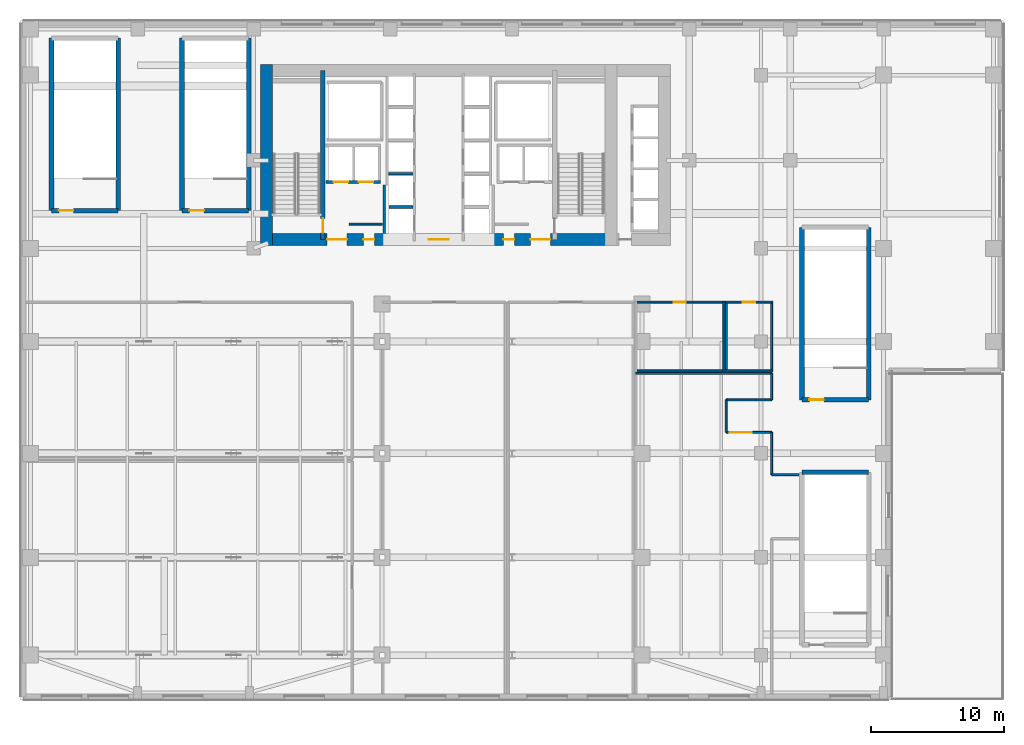
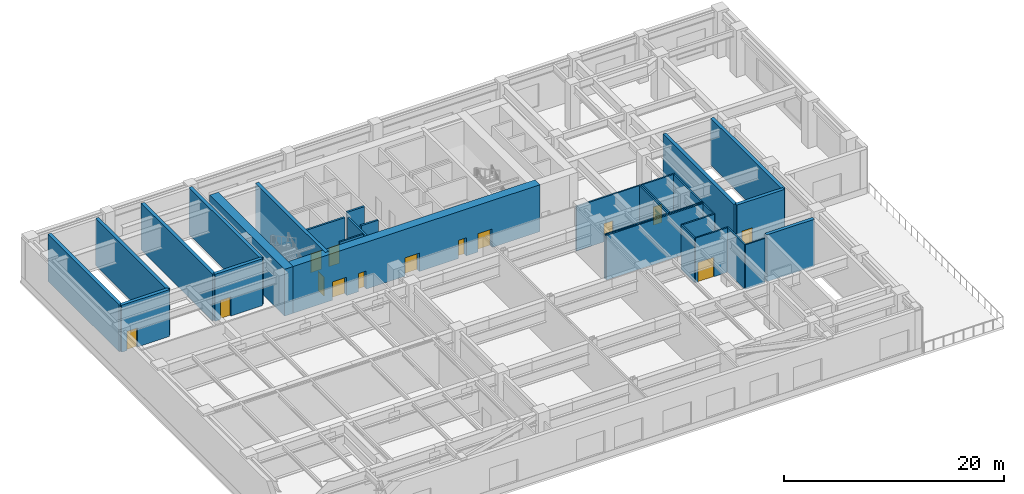
# One storey, part 6 of 14: 32 walls, 14 doors, 14 openings.
"""IFC4 building model written with IfcOpenShell, lengths in metres."""

from ifc_helpers import new_model, si_unit, direction, frame, frame_2d, origin, place, context, subcontext, project, spatial, rectangle, extrude, source, transform, mapped, material, layer, layer_set, type_object, type_shapes, element, fill, save


model = new_model("IFC4")

# Units and contexts
model_context = context("Model", 3, precision=1e-05, world=origin(), true_north=direction((0.0, 1.0)))
body_context = subcontext(model_context, "Body", "Model", "MODEL_VIEW")
ifc_project = project(units=[si_unit("LENGTHUNIT", "METRE"), si_unit("AREAUNIT", "SQUARE_METRE"), si_unit("VOLUMEUNIT", "CUBIC_METRE"), si_unit("PLANEANGLEUNIT", "RADIAN"), si_unit("MASSUNIT", "GRAM", prefix="KILO")], contexts=[model_context])

# Site, building, storey
site_placement = place(None, origin())
site = spatial("IfcSite", under=ifc_project, at=site_placement, CompositionType="ELEMENT")
building_placement = place(site_placement, origin())
building = spatial("IfcBuilding", under=site, at=building_placement, Name="Tolvann Quenvar Hotel", CompositionType="ELEMENT")
storey_placement = place(building_placement, frame((0.0, 0.0, 26.800048828125)))
storey = spatial("IfcBuildingStorey", under=building, at=storey_placement, Name="L05", CompositionType="ELEMENT", Elevation=26.800048828125)

# Wall, openings, doors
ifc_material_1 = material(Name="Concrete S80 (80 MPa)", Category="concrete")
ifc_layer_1 = layer(ifc_material_1, 0.89990234375)
ifc_layer_set_1 = layer_set([ifc_layer_1], Name="Concrete S80 (80 MPa)")
wall_type_1 = type_object("IfcWallType", Name="WALL_CORE_900", PredefinedType="SHEAR", material=ifc_layer_set_1)
wall_1_placement = place(storey_placement, frame((9.60009765625, 32.050048828125, 0.0), z_axis=(0.0, 0.0, 1.0), x_axis=(1.0, 0.0, 0.0)))
wall_1 = element("IfcWall", 1, at=wall_1_placement, inside=storey, type_object=wall_type_1, Name="Rear Core S Shear Wall (L05)", PredefinedType="SHEAR", context=body_context, shape_type="SweptSolid", body=[
    extrude(rectangle(XDim=26.7998046875, YDim=0.89990234375, at=frame_2d((13.39990234375, 0.0))), origin(), (0.0, 0.0, 1.0), 5.199951171875),
])
opening_1_placement = place(wall_1_placement, frame((6.52001953125, 0.0, 0.0), z_axis=(0.0, 0.0, 1.0), x_axis=(-1.0, 0.0, 0.0)))
opening_1 = element("IfcOpeningElement", 2, at=opening_1_placement, cuts=wall_1, Name="Opening FD-60D", PredefinedType="OPENING", context=body_context, shape_type="SweptSolid", body=[
    extrude(rectangle(XDim=1.5, YDim=2.0400390625, at=frame_2d((0.75, 1.02001953125))), frame((0.0, 0.4599609375, 0.0), z_axis=(0.0, -1.0, 0.0), x_axis=(1.0, 0.0, 0.0)), (0.0, 0.0, 1.0), 0.919921875),
])
opening_2_placement = place(wall_1_placement, frame((14.14990234375, 0.0, 0.0), z_axis=(0.0, 0.0, 1.0), x_axis=(-1.0, 0.0, 0.0)))
opening_2 = element("IfcOpeningElement", 3, at=opening_2_placement, cuts=wall_1, Name="Opening FD-60D", PredefinedType="OPENING", context=body_context, shape_type="SweptSolid", body=[
    extrude(rectangle(XDim=1.5, YDim=2.0400390625, at=frame_2d((0.75, 1.02001953125))), frame((0.0, 0.4599609375, 0.0), z_axis=(0.0, -1.0, 0.0), x_axis=(1.0, 0.0, 0.0)), (0.0, 0.0, 1.0), 0.919921875),
])
opening_3_placement = place(wall_1_placement, frame((21.780029296875, 0.0, 0.0), z_axis=(0.0, 0.0, 1.0), x_axis=(-1.0, 0.0, 0.0)))
opening_3 = element("IfcOpeningElement", 4, at=opening_3_placement, cuts=wall_1, Name="Opening FD-60D", PredefinedType="OPENING", context=body_context, shape_type="SweptSolid", body=[
    extrude(rectangle(XDim=1.5, YDim=2.0400390625, at=frame_2d((0.75, 1.02001953125))), frame((0.0, 0.4599609375, 0.0), z_axis=(0.0, -1.0, 0.0), x_axis=(1.0, 0.0, 0.0)), (0.0, 0.0, 1.0), 0.919921875),
])
opening_4_placement = place(wall_1_placement, frame((8.570068359375, 0.0, 0.0), z_axis=(0.0, 0.0, 1.0), x_axis=(-1.0, 0.0, 0.0)))
opening_4 = element("IfcOpeningElement", 5, at=opening_4_placement, cuts=wall_1, Name="Opening HD-02", PredefinedType="OPENING", context=body_context, shape_type="SweptSolid", body=[
    extrude(rectangle(XDim=0.820068359375, YDim=2.010009765625, at=frame_2d((0.41015625, 1.0048828125))), frame((0.0, 0.4599609375, 0.0), z_axis=(0.0, -1.0, 0.0), x_axis=(1.0, 0.0, 0.0)), (0.0, 0.0, 1.0), 0.919921875),
])
opening_5_placement = place(wall_1_placement, frame((19.070068359375, 0.0, 0.0), z_axis=(0.0, 0.0, 1.0), x_axis=(-1.0, 0.0, 0.0)))
opening_5 = element("IfcOpeningElement", 6, at=opening_5_placement, cuts=wall_1, Name="Opening HD-02", PredefinedType="OPENING", context=body_context, shape_type="SweptSolid", body=[
    extrude(rectangle(XDim=0.820068359375, YDim=2.010009765625, at=frame_2d((0.41015625, 1.0048828125))), frame((0.0, 0.4599609375, 0.0), z_axis=(0.0, -1.0, 0.0), x_axis=(1.0, 0.0, 0.0)), (0.0, 0.0, 1.0), 0.919921875),
])
ifc_material_2 = material(Name="Solid-core American oak acoustic fire door leaf in steel frame", Category="steel")
door_type_1 = type_object("IfcDoorType", Name="DOOR_FIRE_LOBBY_1500", OperationType="NOTDEFINED", PredefinedType="DOOR", material=ifc_material_2)
shared_shape_1 = source(origin(), body_context, "Body", "SweptSolid", [
    extrude(rectangle(XDim=1.5, YDim=2.0400390625, at=frame_2d((0.75, 1.02001953125))), frame((0.0, 0.02490234375, 0.0), z_axis=(0.0, -1.0, 0.0), x_axis=(1.0, 0.0, 0.0)), (0.0, 0.0, 1.0), 0.050048828125),
])
type_shapes(door_type_1, [shared_shape_1])
door_1_placement = place(opening_1_placement, origin())
door_1 = element("IfcDoor", 7, at=door_1_placement, inside=storey, type_object=door_type_1, Name="Core Lobby Fire Door FFW (L05)", OperationType="DOUBLE_DOOR_SINGLE_SWING", OverallHeight=2.0400390625, OverallWidth=1.5, PredefinedType="DOOR", context=body_context, shape_type="MappedRepresentation", body=[
    mapped(shared_shape_1, transform((0.0, 0.0, 0.0), x_axis=(1.0, 0.0, 0.0), y_axis=(0.0, 1.0, 0.0), z_axis=(0.0, 0.0, 1.0), scale=1.0)),
])
fill(opening_1, door_1)
door_2_placement = place(opening_2_placement, origin())
door_2 = element("IfcDoor", 8, at=door_2_placement, inside=storey, type_object=door_type_1, Name="Core Lobby Fire Door CLOB (L05)", OperationType="DOUBLE_DOOR_SINGLE_SWING", OverallHeight=2.0400390625, OverallWidth=1.5, PredefinedType="DOOR", context=body_context, shape_type="MappedRepresentation", body=[
    mapped(shared_shape_1, transform((0.0, 0.0, 0.0), x_axis=(1.0, 0.0, 0.0), y_axis=(0.0, 1.0, 0.0), z_axis=(0.0, 0.0, 1.0), scale=1.0)),
])
fill(opening_2, door_2)
door_3_placement = place(opening_3_placement, origin())
door_3 = element("IfcDoor", 9, at=door_3_placement, inside=storey, type_object=door_type_1, Name="Core Lobby Fire Door FFE (L05)", OperationType="DOUBLE_DOOR_SINGLE_SWING", OverallHeight=2.0400390625, OverallWidth=1.5, PredefinedType="DOOR", context=body_context, shape_type="MappedRepresentation", body=[
    mapped(shared_shape_1, transform((0.0, 0.0, 0.0), x_axis=(1.0, 0.0, 0.0), y_axis=(0.0, 1.0, 0.0), z_axis=(0.0, 0.0, 1.0), scale=1.0)),
])
fill(opening_3, door_3)
ifc_material_3 = material(Name="Pressed galvanised steel fire-rated door set", Category="steel")
door_type_2 = type_object("IfcDoorType", Name="DOOR_STORE_820", OperationType="NOTDEFINED", PredefinedType="DOOR", material=ifc_material_3)
shared_shape_2 = source(origin(), body_context, "Body", "SweptSolid", [
    extrude(rectangle(XDim=0.820068359375, YDim=2.010009765625, at=frame_2d((0.41015625, 1.0048828125))), frame((0.0, 0.02490234375, 0.0), z_axis=(0.0, -1.0, 0.0), x_axis=(1.0, 0.0, 0.0)), (0.0, 0.0, 1.0), 0.050048828125),
])
type_shapes(door_type_2, [shared_shape_2])
door_4_placement = place(opening_4_placement, origin())
door_4 = element("IfcDoor", 10, at=door_4_placement, inside=storey, type_object=door_type_2, Name="Core Linen Store Fire Door (L05)", OperationType="SINGLE_SWING_LEFT", OverallHeight=2.010009765625, OverallWidth=0.820068359375, PredefinedType="DOOR", context=body_context, shape_type="MappedRepresentation", body=[
    mapped(shared_shape_2, transform((0.0, 0.0, 0.0), x_axis=(1.0, 0.0, 0.0), y_axis=(0.0, 1.0, 0.0), z_axis=(0.0, 0.0, 1.0), scale=1.0)),
])
fill(opening_4, door_4)
door_5_placement = place(opening_5_placement, origin())
door_5 = element("IfcDoor", 11, at=door_5_placement, inside=storey, type_object=door_type_2, Name="Core Comms Closet Fire Door (L05)", OperationType="SINGLE_SWING_RIGHT", OverallHeight=2.010009765625, OverallWidth=0.820068359375, PredefinedType="DOOR", context=body_context, shape_type="MappedRepresentation", body=[
    mapped(shared_shape_2, transform((0.0, 0.0, 0.0), x_axis=(1.0, 0.0, 0.0), y_axis=(0.0, 1.0, 0.0), z_axis=(0.0, 0.0, 1.0), scale=1.0)),
])
fill(opening_5, door_5)

# Wall
wall_2_placement = place(storey_placement, frame((10.050048828125, 31.60009765625, 0.0), z_axis=(0.0, 0.0, 1.0), x_axis=(0.0, 1.0, 0.0)))
element("IfcWall", 12, at=wall_2_placement, inside=storey, type_object=wall_type_1, Name="Rear Core W Shear Wall (L05)", PredefinedType="SHEAR", context=body_context, shape_type="SweptSolid", body=[
    extrude(rectangle(XDim=13.599853515625, YDim=0.89990234375, at=frame_2d((6.7998046875, 0.0))), origin(), (0.0, 0.0, 1.0), 5.199951171875),
])

# Wall, opening, door
ifc_material_4 = material(Name="Concrete S65 (65 MPa)", Category="concrete")
ifc_layer_2 = layer(ifc_material_4, 0.35009765625)
ifc_layer_set_2 = layer_set([ifc_layer_2], Name="Concrete S65 (65 MPa)")
wall_type_2 = type_object("IfcWallType", Name="WALL_CORE_INT_350", PredefinedType="SHEAR", material=ifc_layer_set_2)
wall_3_placement = place(storey_placement, frame((14.300048828125, 32.050048828125, 0.0), z_axis=(0.0, 0.0, 1.0), x_axis=(0.0, 1.0, 0.0)))
wall_3 = element("IfcWall", 13, at=wall_3_placement, inside=storey, type_object=wall_type_2, Name="Core Internal Web Shear Wall WEB-W (L05)", PredefinedType="SHEAR", context=body_context, shape_type="SweptSolid", body=[
    extrude(rectangle(XDim=12.699951171875, YDim=0.35009765625, at=frame_2d((6.35009765625, 0.0))), origin(), (0.0, 0.0, 1.0), 5.199951171875),
])
opening_6_placement = place(wall_3_placement, frame((0.5, 0.0, 0.0)))
opening_6 = element("IfcOpeningElement", 14, at=opening_6_placement, cuts=wall_3, Name="Opening FD-120", PredefinedType="OPENING", context=body_context, shape_type="SweptSolid", body=[
    extrude(rectangle(XDim=1.10009765625, YDim=2.1201171875, at=frame_2d((0.550048828125, 1.06005859375))), frame((0.0, 0.18505859375, 0.0), z_axis=(0.0, -1.0, 0.0), x_axis=(1.0, 0.0, 0.0)), (0.0, 0.0, 1.0), 0.3701171875),
])
door_type_3 = type_object("IfcDoorType", Name="DOOR_FIRE_STAIR_1100", OperationType="NOTDEFINED", PredefinedType="DOOR", material=ifc_material_3)
shared_shape_3 = source(origin(), body_context, "Body", "SweptSolid", [
    extrude(rectangle(XDim=1.10009765625, YDim=2.1201171875, at=frame_2d((0.550048828125, 1.06005859375))), frame((0.0, 0.02490234375, 0.0), z_axis=(0.0, -1.0, 0.0), x_axis=(1.0, 0.0, 0.0)), (0.0, 0.0, 1.0), 0.050048828125),
])
type_shapes(door_type_3, [shared_shape_3])
door_6_placement = place(opening_6_placement, origin())
door_6 = element("IfcDoor", 15, at=door_6_placement, inside=storey, type_object=door_type_3, Name="Exit Stair ST-C1 Fire Door (L05)", OperationType="SINGLE_SWING_LEFT", OverallHeight=2.1201171875, OverallWidth=1.10009765625, PredefinedType="DOOR", context=body_context, shape_type="MappedRepresentation", body=[
    mapped(shared_shape_3, transform((0.0, 0.0, 0.0), x_axis=(1.0, 0.0, 0.0), y_axis=(0.0, 1.0, 0.0), z_axis=(0.0, 0.0, 1.0), scale=1.0)),
])
fill(opening_6, door_6)

wall_4_placement = place(storey_placement, frame((-6.074951171875, 34.22509765625, 0.0), z_axis=(0.0, 0.0, 1.0), x_axis=(1.0, 0.0, 0.0)))
wall_4 = element("IfcWall", 16, at=wall_4_placement, inside=storey, type_object=wall_type_2, Name="Stairwell ST-P1 Structural Shaft Wall S (L05)", PredefinedType="SHEAR", context=body_context, shape_type="SweptSolid", body=[
    extrude(rectangle(XDim=5.0, YDim=0.35009765625, at=frame_2d((2.5, 0.0))), origin(), (0.0, 0.0, 1.0), 5.199951171875),
])
opening_7_placement = place(wall_4_placement, frame((0.550048828125, 0.0, 0.0)))
opening_7 = element("IfcOpeningElement", 17, at=opening_7_placement, cuts=wall_4, Name="Opening FD-120", PredefinedType="OPENING", context=body_context, shape_type="SweptSolid", body=[
    extrude(rectangle(XDim=1.10009765625, YDim=2.1201171875, at=frame_2d((0.550048828125, 1.06005859375))), frame((0.0, 0.18505859375, 0.0), z_axis=(0.0, -1.0, 0.0), x_axis=(1.0, 0.0, 0.0)), (0.0, 0.0, 1.0), 0.3701171875),
])
door_7_placement = place(opening_7_placement, origin())
door_7 = element("IfcDoor", 18, at=door_7_placement, inside=storey, type_object=door_type_3, Name="Exit Stair ST-P1 Fire Door (L05)", OperationType="SINGLE_SWING_LEFT", OverallHeight=2.1201171875, OverallWidth=1.10009765625, PredefinedType="DOOR", context=body_context, shape_type="MappedRepresentation", body=[
    mapped(shared_shape_3, transform((0.0, 0.0, 0.0), x_axis=(1.0, 0.0, 0.0), y_axis=(0.0, 1.0, 0.0), z_axis=(0.0, 0.0, 1.0), scale=1.0)),
])
fill(opening_7, door_7)

# Walls
for number, where, z_axis, x_axis, name in (
    (19, (-1.074951171875, 34.22509765625, 0.0), (0.0, 0.0, 1.0), (0.0, 1.0, 0.0), "Stairwell ST-P1 Structural Shaft Wall E (L05)"),
    (20, (-6.074951171875, 47.175048828125, 0.0), (0.0, 0.0, 1.0), (0.0, -1.0, 0.0), "Stairwell ST-P1 Structural Shaft Wall W (L05)"),
):
    element("IfcWall", number, at=place(storey_placement, frame(where, z_axis=z_axis, x_axis=x_axis)), inside=storey, type_object=wall_type_2, Name=name, PredefinedType="SHEAR", context=body_context, shape_type="SweptSolid", body=[
        extrude(rectangle(XDim=12.949951171875, YDim=0.35009765625, at=frame_2d((6.47509765625, 0.0))), origin(), (0.0, 0.0, 1.0), 5.199951171875),
    ])

# Wall, opening, door
wall_5_placement = place(storey_placement, frame((3.72509765625, 34.22509765625, 0.0), z_axis=(0.0, 0.0, 1.0), x_axis=(1.0, 0.0, 0.0)))
wall_5 = element("IfcWall", 21, at=wall_5_placement, inside=storey, type_object=wall_type_2, Name="Stairwell ST-P2 Structural Shaft Wall S (L05)", PredefinedType="SHEAR", context=body_context, shape_type="SweptSolid", body=[
    extrude(rectangle(XDim=5.0, YDim=0.35009765625, at=frame_2d((2.5, 0.0))), origin(), (0.0, 0.0, 1.0), 5.199951171875),
])
opening_8_placement = place(wall_5_placement, frame((0.550048828125, 0.0, 0.0)))
opening_8 = element("IfcOpeningElement", 22, at=opening_8_placement, cuts=wall_5, Name="Opening FD-120", PredefinedType="OPENING", context=body_context, shape_type="SweptSolid", body=[
    extrude(rectangle(XDim=1.10009765625, YDim=2.1201171875, at=frame_2d((0.550048828125, 1.06005859375))), frame((0.0, 0.18505859375, 0.0), z_axis=(0.0, -1.0, 0.0), x_axis=(1.0, 0.0, 0.0)), (0.0, 0.0, 1.0), 0.3701171875),
])
door_8_placement = place(opening_8_placement, origin())
door_8 = element("IfcDoor", 23, at=door_8_placement, inside=storey, type_object=door_type_3, Name="Exit Stair ST-P2 Fire Door (L05)", OperationType="SINGLE_SWING_RIGHT", OverallHeight=2.1201171875, OverallWidth=1.10009765625, PredefinedType="DOOR", context=body_context, shape_type="MappedRepresentation", body=[
    mapped(shared_shape_3, transform((0.0, 0.0, 0.0), x_axis=(1.0, 0.0, 0.0), y_axis=(0.0, 1.0, 0.0), z_axis=(0.0, 0.0, 1.0), scale=1.0)),
])
fill(opening_8, door_8)

# Walls
for number, where, z_axis, x_axis, name in (
    (24, (8.72509765625, 34.22509765625, 0.0), (0.0, 0.0, 1.0), (0.0, 1.0, 0.0), "Stairwell ST-P2 Structural Shaft Wall E (L05)"),
    (25, (3.72509765625, 47.175048828125, 0.0), (0.0, 0.0, 1.0), (0.0, -1.0, 0.0), "Stairwell ST-P2 Structural Shaft Wall W (L05)"),
):
    element("IfcWall", number, at=place(storey_placement, frame(where, z_axis=z_axis, x_axis=x_axis)), inside=storey, type_object=wall_type_2, Name=name, PredefinedType="SHEAR", context=body_context, shape_type="SweptSolid", body=[
        extrude(rectangle(XDim=12.949951171875, YDim=0.35009765625, at=frame_2d((6.47509765625, 0.0))), origin(), (0.0, 0.0, 1.0), 5.199951171875),
    ])
wall_6_placement = place(storey_placement, frame((55.27490234375, 14.574951171875, 0.0), z_axis=(0.0, 0.0, 1.0), x_axis=(-1.0, 0.0, 0.0)))
element("IfcWall", 26, at=wall_6_placement, inside=storey, type_object=wall_type_2, Name="Stairwell ST-P3 Structural Shaft Wall N (L05)", PredefinedType="SHEAR", context=body_context, shape_type="SweptSolid", body=[
    extrude(rectangle(XDim=5.0, YDim=0.35009765625, at=frame_2d((2.5, 0.0))), origin(), (0.0, 0.0, 1.0), 5.199951171875),
])

# Wall, opening, door
wall_7_placement = place(storey_placement, frame((50.27490234375, 20.02490234375, 0.0), z_axis=(0.0, 0.0, 1.0), x_axis=(1.0, 0.0, 0.0)))
wall_7 = element("IfcWall", 27, at=wall_7_placement, inside=storey, type_object=wall_type_2, Name="Stairwell ST-P4 Structural Shaft Wall S (L05)", PredefinedType="SHEAR", context=body_context, shape_type="SweptSolid", body=[
    extrude(rectangle(XDim=5.0, YDim=0.35009765625, at=frame_2d((2.5, 0.0))), origin(), (0.0, 0.0, 1.0), 5.199951171875),
])
opening_9_placement = place(wall_7_placement, frame((0.550048828125, 0.0, 0.0)))
opening_9 = element("IfcOpeningElement", 28, at=opening_9_placement, cuts=wall_7, Name="Opening FD-120", PredefinedType="OPENING", context=body_context, shape_type="SweptSolid", body=[
    extrude(rectangle(XDim=1.10009765625, YDim=2.1201171875, at=frame_2d((0.550048828125, 1.06005859375))), frame((0.0, 0.18505859375, 0.0), z_axis=(0.0, -1.0, 0.0), x_axis=(1.0, 0.0, 0.0)), (0.0, 0.0, 1.0), 0.3701171875),
])
door_9_placement = place(opening_9_placement, origin())
door_9 = element("IfcDoor", 29, at=door_9_placement, inside=storey, type_object=door_type_3, Name="Exit Stair ST-P4 Fire Door (L05)", OperationType="SINGLE_SWING_RIGHT", OverallHeight=2.1201171875, OverallWidth=1.10009765625, PredefinedType="DOOR", context=body_context, shape_type="MappedRepresentation", body=[
    mapped(shared_shape_3, transform((0.0, 0.0, 0.0), x_axis=(1.0, 0.0, 0.0), y_axis=(0.0, 1.0, 0.0), z_axis=(0.0, 0.0, 1.0), scale=1.0)),
])
fill(opening_9, door_9)

# Walls
for number, where, z_axis, x_axis, name in (
    (30, (55.27490234375, 20.02490234375, 0.0), (0.0, 0.0, 1.0), (0.0, 1.0, 0.0), "Stairwell ST-P4 Structural Shaft Wall E (L05)"),
    (31, (50.27490234375, 32.97509765625, 0.0), (0.0, 0.0, 1.0), (0.0, -1.0, 0.0), "Stairwell ST-P4 Structural Shaft Wall W (L05)"),
):
    element("IfcWall", number, at=place(storey_placement, frame(where, z_axis=z_axis, x_axis=x_axis)), inside=storey, type_object=wall_type_2, Name=name, PredefinedType="SHEAR", context=body_context, shape_type="SweptSolid", body=[
        extrude(rectangle(XDim=12.9501953125, YDim=0.35009765625, at=frame_2d((6.47509765625, 0.0))), origin(), (0.0, 0.0, 1.0), 5.199951171875),
    ])
ifc_material_5 = material(Name="Acoustic twin-stud fire-rated gypsum plasterboard partition")
ifc_layer_3 = layer(ifc_material_5, 0.14990234375)
ifc_layer_set_3 = layer_set([ifc_layer_3], Name="Acoustic twin-stud fire-rated gypsum plasterboard partition")
wall_type_3 = type_object("IfcWallType", Name="WALL_PART_SUITE_150", PredefinedType="PARTITIONING", material=ifc_layer_set_3)
wall_8_placement = place(storey_placement, frame((16.280029296875, 33.219970703125, 0.0), z_axis=(0.0, 0.0, 1.0), x_axis=(1.0, 0.0, 0.0)))
element("IfcWall", 32, at=wall_8_placement, inside=storey, type_object=wall_type_3, Name="Interior Partition PT-SPC-L05-CSW-1-N", PredefinedType="PARTITIONING", context=body_context, shape_type="SweptSolid", body=[
    extrude(rectangle(XDim=2.48486328125, YDim=0.14990234375, at=frame_2d((1.242431640625, 0.0))), origin(), (0.0, 0.0, 1.0), 4.93994140625),
])
wall_9_placement = place(storey_placement, frame((48.0, 14.39990234375, 0.0), z_axis=(0.0, 0.0, 1.0), x_axis=(1.0, 0.0, 0.0)))
element("IfcWall", 33, at=wall_9_placement, inside=storey, type_object=wall_type_3, Name="Interior Partition PT-SPC-L05-RELAX-E5", PredefinedType="PARTITIONING", context=body_context, shape_type="SweptSolid", body=[
    extrude(rectangle(XDim=2.044921875, YDim=0.14990234375, at=frame_2d((1.0224609375, 0.0))), origin(), (0.0, 0.0, 1.0), 4.93994140625),
])
wall_10_placement = place(storey_placement, frame((48.0, 14.39990234375, 0.0), z_axis=(0.0, 0.0, 1.0), x_axis=(0.0, 1.0, 0.0)))
element("IfcWall", 34, at=wall_10_placement, inside=storey, type_object=wall_type_3, Name="Interior Partition PT-SPC-L05-RELAX-E6", PredefinedType="PARTITIONING", context=body_context, shape_type="SweptSolid", body=[
    extrude(rectangle(XDim=3.18017578125, YDim=0.14990234375, at=frame_2d((1.590087890625, 0.0))), origin(), (0.0, 0.0, 1.0), 4.93994140625),
])

# Wall, opening, door
wall_11_placement = place(storey_placement, frame((44.580078125, 17.580078125, 0.0), z_axis=(0.0, 0.0, 1.0), x_axis=(1.0, 0.0, 0.0)))
wall_11 = element("IfcWall", 35, at=wall_11_placement, inside=storey, type_object=wall_type_3, Name="Interior Partition PT-SPC-L05-RELAX-E7", PredefinedType="PARTITIONING", context=body_context, shape_type="SweptSolid", body=[
    extrude(rectangle(XDim=3.419921875, YDim=0.14990234375, at=frame_2d((1.7099609375, 0.0))), origin(), (0.0, 0.0, 1.0), 4.93994140625),
])
opening_10_placement = place(wall_11_placement, frame((0.284912109375, 0.0, 0.0)))
opening_10 = element("IfcOpeningElement", 36, at=opening_10_placement, cuts=wall_11, Name="Opening AD-01", PredefinedType="OPENING", context=body_context, shape_type="SweptSolid", body=[
    extrude(rectangle(XDim=1.64990234375, YDim=2.14990234375, at=frame_2d((0.824951171875, 1.074951171875))), frame((0.0, 0.0849609375, 0.0), z_axis=(0.0, -1.0, 0.0), x_axis=(1.0, 0.0, 0.0)), (0.0, 0.0, 1.0), 0.169921875),
])
door_type_4 = type_object("IfcDoorType", Name="DOOR_SALON_1650", OperationType="NOTDEFINED", PredefinedType="DOOR", material=ifc_material_2)
shared_shape_4 = source(origin(), body_context, "Body", "SweptSolid", [
    extrude(rectangle(XDim=1.64990234375, YDim=2.14990234375, at=frame_2d((0.824951171875, 1.074951171875))), frame((0.0, 0.02490234375, 0.0), z_axis=(0.0, -1.0, 0.0), x_axis=(1.0, 0.0, 0.0)), (0.0, 0.0, 1.0), 0.050048828125),
])
type_shapes(door_type_4, [shared_shape_4])
door_10_placement = place(opening_10_placement, origin())
door_10 = element("IfcDoor", 37, at=door_10_placement, inside=storey, type_object=door_type_4, Name="Interior Door DOOR-SPC-L05-RELAX", OperationType="DOUBLE_DOOR_SINGLE_SWING", OverallHeight=2.14990234375, OverallWidth=1.64990234375, PredefinedType="DOOR", context=body_context, shape_type="MappedRepresentation", body=[
    mapped(shared_shape_4, transform((0.0, 0.0, 0.0), x_axis=(1.0, 0.0, 0.0), y_axis=(0.0, 1.0, 0.0), z_axis=(0.0, 0.0, 1.0), scale=1.0)),
])
fill(opening_10, door_10)

# Walls
wall_12_placement = place(storey_placement, frame((44.580078125, 17.580078125, 0.0), z_axis=(0.0, 0.0, 1.0), x_axis=(0.0, 1.0, 0.0)))
element("IfcWall", 38, at=wall_12_placement, inside=storey, type_object=wall_type_3, Name="Interior Partition PT-SPC-L05-RELAX-E8", PredefinedType="PARTITIONING", context=body_context, shape_type="SweptSolid", body=[
    extrude(rectangle(XDim=2.43994140625, YDim=0.14990234375, at=frame_2d((1.219970703125, 0.0))), origin(), (0.0, 0.0, 1.0), 4.93994140625),
])
wall_13_placement = place(storey_placement, frame((44.580078125, 20.02001953125, 0.0), z_axis=(0.0, 0.0, 1.0), x_axis=(1.0, 0.0, 0.0)))
element("IfcWall", 39, at=wall_13_placement, inside=storey, type_object=wall_type_3, Name="Interior Partition PT-SPC-L05-RELAX-E9", PredefinedType="PARTITIONING", context=body_context, shape_type="SweptSolid", body=[
    extrude(rectangle(XDim=3.419921875, YDim=0.14990234375, at=frame_2d((1.7099609375, 0.0))), origin(), (0.0, 0.0, 1.0), 4.93994140625),
])
wall_14_placement = place(storey_placement, frame((48.0, 20.02001953125, 0.0), z_axis=(0.0, 0.0, 1.0), x_axis=(0.0, 1.0, 0.0)))
element("IfcWall", 40, at=wall_14_placement, inside=storey, type_object=wall_type_3, Name="Interior Partition PT-SPC-L05-RELAX-E10", PredefinedType="PARTITIONING", context=body_context, shape_type="SweptSolid", body=[
    extrude(rectangle(XDim=1.97998046875, YDim=0.14990234375, at=frame_2d((0.989990234375, 0.0))), origin(), (0.0, 0.0, 1.0), 4.93994140625),
])
wall_15_placement = place(storey_placement, frame((37.800048828125, 22.0, 0.0), z_axis=(0.0, 0.0, 1.0), x_axis=(1.0, 0.0, 0.0)))
element("IfcWall", 41, at=wall_15_placement, inside=storey, type_object=wall_type_3, Name="Interior Partition PT-SPC-L05-RELAX-E11", PredefinedType="PARTITIONING", context=body_context, shape_type="SweptSolid", body=[
    extrude(rectangle(XDim=10.199951171875, YDim=0.14990234375, at=frame_2d((5.10009765625, 0.0))), origin(), (0.0, 0.0, 1.0), 4.93994140625),
])
wall_16_placement = place(storey_placement, frame((37.72998046875, 22.199951171875, 0.0), z_axis=(0.0, 0.0, 1.0), x_axis=(1.0, 0.0, 0.0)))
element("IfcWall", 42, at=wall_16_placement, inside=storey, type_object=wall_type_3, Name="Interior Partition PT-SPC-L05-CHG-S", PredefinedType="PARTITIONING", context=body_context, shape_type="SweptSolid", body=[
    extrude(rectangle(XDim=6.739990234375, YDim=0.14990234375, at=frame_2d((3.3701171875, 0.0))), origin(), (0.0, 0.0, 1.0), 4.93994140625),
])

# Wall, opening, door
wall_17_placement = place(storey_placement, frame((37.72998046875, 27.35009765625, 0.0), z_axis=(0.0, 0.0, 1.0), x_axis=(1.0, 0.0, 0.0)))
wall_17 = element("IfcWall", 43, at=wall_17_placement, inside=storey, type_object=wall_type_3, Name="Interior Partition PT-SPC-L05-CHG-N", PredefinedType="PARTITIONING", context=body_context, shape_type="SweptSolid", body=[
    extrude(rectangle(XDim=6.739990234375, YDim=0.14990234375, at=frame_2d((3.3701171875, 0.0))), origin(), (0.0, 0.0, 1.0), 4.93994140625),
])
opening_11_placement = place(wall_17_placement, frame((2.909912109375, 0.0, 0.0)))
opening_11 = element("IfcOpeningElement", 44, at=opening_11_placement, cuts=wall_17, Name="Opening WD-01", PredefinedType="OPENING", context=body_context, shape_type="SweptSolid", body=[
    extrude(rectangle(XDim=0.919921875, YDim=2.010009765625, at=frame_2d((0.4599609375, 1.0048828125))), frame((0.0, 0.0849609375, 0.0), z_axis=(0.0, -1.0, 0.0), x_axis=(1.0, 0.0, 0.0)), (0.0, 0.0, 1.0), 0.169921875),
])
door_type_5 = type_object("IfcDoorType", Name="DOOR_WC_920", OperationType="NOTDEFINED", PredefinedType="DOOR", material=ifc_material_2)
shared_shape_5 = source(origin(), body_context, "Body", "SweptSolid", [
    extrude(rectangle(XDim=0.919921875, YDim=2.010009765625, at=frame_2d((0.4599609375, 1.0048828125))), frame((0.0, 0.02490234375, 0.0), z_axis=(0.0, -1.0, 0.0), x_axis=(1.0, 0.0, 0.0)), (0.0, 0.0, 1.0), 0.050048828125),
])
type_shapes(door_type_5, [shared_shape_5])
door_11_placement = place(opening_11_placement, origin())
door_11 = element("IfcDoor", 45, at=door_11_placement, inside=storey, type_object=door_type_5, Name="Interior Door DOOR-SPC-L05-CHG", OperationType="SINGLE_SWING_RIGHT", OverallHeight=2.010009765625, OverallWidth=0.919921875, PredefinedType="DOOR", context=body_context, shape_type="MappedRepresentation", body=[
    mapped(shared_shape_5, transform((0.0, 0.0, 0.0), x_axis=(1.0, 0.0, 0.0), y_axis=(0.0, 1.0, 0.0), z_axis=(0.0, 0.0, 1.0), scale=1.0)),
])
fill(opening_11, door_11)

# Walls
wall_18_placement = place(storey_placement, frame((44.39990234375, 22.1298828125, 0.0), z_axis=(0.0, 0.0, 1.0), x_axis=(0.0, 1.0, 0.0)))
element("IfcWall", 46, at=wall_18_placement, inside=storey, type_object=wall_type_3, Name="Interior Partition PT-SPC-L05-CHG-E", PredefinedType="PARTITIONING", context=body_context, shape_type="SweptSolid", body=[
    extrude(rectangle(XDim=5.2900390625, YDim=0.14990234375, at=frame_2d((2.64501953125, 0.0))), origin(), (0.0, 0.0, 1.0), 4.93994140625),
])
wall_19_placement = place(storey_placement, frame((44.530029296875, 22.199951171875, 0.0), z_axis=(0.0, 0.0, 1.0), x_axis=(1.0, 0.0, 0.0)))
element("IfcWall", 47, at=wall_19_placement, inside=storey, type_object=wall_type_3, Name="Interior Partition PT-SPC-L05-WCA-S", PredefinedType="PARTITIONING", context=body_context, shape_type="SweptSolid", body=[
    extrude(rectangle(XDim=3.5400390625, YDim=0.14990234375, at=frame_2d((1.77001953125, 0.0))), origin(), (0.0, 0.0, 1.0), 4.93994140625),
])

# Wall, opening, door
wall_20_placement = place(storey_placement, frame((44.530029296875, 27.35009765625, 0.0), z_axis=(0.0, 0.0, 1.0), x_axis=(1.0, 0.0, 0.0)))
wall_20 = element("IfcWall", 48, at=wall_20_placement, inside=storey, type_object=wall_type_3, Name="Interior Partition PT-SPC-L05-WCA-N", PredefinedType="PARTITIONING", context=body_context, shape_type="SweptSolid", body=[
    extrude(rectangle(XDim=3.5400390625, YDim=0.14990234375, at=frame_2d((1.77001953125, 0.0))), origin(), (0.0, 0.0, 1.0), 4.93994140625),
])
opening_12_placement = place(wall_20_placement, frame((1.31005859375, 0.0, 0.0)))
opening_12 = element("IfcOpeningElement", 49, at=opening_12_placement, cuts=wall_20, Name="Opening WD-01", PredefinedType="OPENING", context=body_context, shape_type="SweptSolid", body=[
    extrude(rectangle(XDim=0.919921875, YDim=2.010009765625, at=frame_2d((0.4599609375, 1.0048828125))), frame((0.0, 0.0849609375, 0.0), z_axis=(0.0, -1.0, 0.0), x_axis=(1.0, 0.0, 0.0)), (0.0, 0.0, 1.0), 0.169921875),
])
door_12_placement = place(opening_12_placement, origin())
door_12 = element("IfcDoor", 50, at=door_12_placement, inside=storey, type_object=door_type_5, Name="Interior Door DOOR-SPC-L05-WCA", OperationType="SINGLE_SWING_LEFT", OverallHeight=2.010009765625, OverallWidth=0.919921875, PredefinedType="DOOR", context=body_context, shape_type="MappedRepresentation", body=[
    mapped(shared_shape_5, transform((0.0, 0.0, 0.0), x_axis=(1.0, 0.0, 0.0), y_axis=(0.0, 1.0, 0.0), z_axis=(0.0, 0.0, 1.0), scale=1.0)),
])
fill(opening_12, door_12)

# Walls
for number, where, z_axis, x_axis, name in (
    (51, (44.60009765625, 22.1298828125, 0.0), (0.0, 0.0, 1.0), (0.0, 1.0, 0.0), "Interior Partition PT-SPC-L05-WCA-W"),
    (52, (48.0, 22.1298828125, 0.0), (0.0, 0.0, 1.0), (0.0, 1.0, 0.0), "Interior Partition PT-SPC-L05-WCA-E"),
):
    element("IfcWall", number, at=place(storey_placement, frame(where, z_axis=z_axis, x_axis=x_axis)), inside=storey, type_object=wall_type_3, Name=name, PredefinedType="PARTITIONING", context=body_context, shape_type="SweptSolid", body=[
        extrude(rectangle(XDim=5.2900390625, YDim=0.14990234375, at=frame_2d((2.64501953125, 0.0))), origin(), (0.0, 0.0, 1.0), 4.93994140625),
    ])
ifc_material_6 = material(Name="Concrete N40 (40 MPa)", Category="concrete")
ifc_layer_4 = layer(ifc_material_6, 0.199951171875)
ifc_layer_set_4 = layer_set([ifc_layer_4], Name="Concrete N40 (40 MPa)")
wall_type_4 = type_object("IfcWallType", Name="WALL_SHAFT_200", PredefinedType="SOLIDWALL", material=ifc_layer_set_4)
wall_21_placement = place(storey_placement, frame((18.919921875, 32.50390625, 0.0), z_axis=(0.0, 0.0, 1.0), x_axis=(0.0, 1.0, 0.0)))
element("IfcWall", 53, at=wall_21_placement, inside=storey, type_object=wall_type_4, Name="Firefighting Lobby W Inner Fire Wall (L05)", PredefinedType="SOLIDWALL", context=body_context, shape_type="SweptSolid", body=[
    extrude(rectangle(XDim=3.64599609375, YDim=0.199951171875, at=frame_2d((1.822998046875, 0.0))), origin(), (0.0, 0.0, 1.0), 4.93994140625),
])
wall_22_placement = place(storey_placement, frame((19.27001953125, 34.5, 0.0), z_axis=(0.0, 0.0, 1.0), x_axis=(1.0, 0.0, 0.0)))
element("IfcWall", 54, at=wall_22_placement, inside=storey, type_object=wall_type_4, Name="Lift Bank E21.1C1 Divider Wall 1 (L05)", PredefinedType="SOLIDWALL", context=body_context, shape_type="SweptSolid", body=[
    extrude(rectangle(XDim=1.800048828125, YDim=0.199951171875, at=frame_2d((0.89990234375, 0.0))), origin(), (0.0, 0.0, 1.0), 4.93994140625),
])
wall_23_placement = place(storey_placement, frame((19.22998046875, 37.0, 0.0), z_axis=(0.0, 0.0, 1.0), x_axis=(1.0, 0.0, 0.0)))
element("IfcWall", 55, at=wall_23_placement, inside=storey, type_object=wall_type_4, Name="Lift Bank E21.1C1 Divider Wall 2 (L05)", PredefinedType="SOLIDWALL", context=body_context, shape_type="SweptSolid", body=[
    extrude(rectangle(XDim=1.840087890625, YDim=0.199951171875, at=frame_2d((0.919921875, 0.0))), origin(), (0.0, 0.0, 1.0), 4.93994140625),
])

# Wall, openings, doors
wall_24_placement = place(storey_placement, frame((14.550048828125, 36.3798828125, 0.0), z_axis=(0.0, 0.0, 1.0), x_axis=(1.0, 0.0, 0.0)))
wall_24 = element("IfcWall", 56, at=wall_24_placement, inside=storey, type_object=wall_type_4, Name="Lift Bank SWC1 Hoistway Front Wall (L05)", PredefinedType="SOLIDWALL", context=body_context, shape_type="SweptSolid", body=[
    extrude(rectangle(XDim=4.074951171875, YDim=0.199951171875, at=frame_2d((2.03759765625, 0.0))), origin(), (0.0, 0.0, 1.0), 4.93994140625),
])
opening_13_placement = place(wall_24_placement, frame((0.550048828125, 0.0, 0.0)))
opening_13 = element("IfcOpeningElement", 57, at=opening_13_placement, cuts=wall_24, Name="Opening LD-01", PredefinedType="OPENING", context=body_context, shape_type="SweptSolid", body=[
    extrude(rectangle(XDim=1.10009765625, YDim=2.1201171875, at=frame_2d((0.550048828125, 1.06005859375))), frame((0.0, 0.10986328125, 0.0), z_axis=(0.0, -1.0, 0.0), x_axis=(1.0, 0.0, 0.0)), (0.0, 0.0, 1.0), 0.219970703125),
])
opening_14_placement = place(wall_24_placement, frame((2.449951171875, 0.0, 0.0)))
opening_14 = element("IfcOpeningElement", 58, at=opening_14_placement, cuts=wall_24, Name="Opening LD-01", PredefinedType="OPENING", context=body_context, shape_type="SweptSolid", body=[
    extrude(rectangle(XDim=1.10009765625, YDim=2.1201171875, at=frame_2d((0.550048828125, 1.06005859375))), frame((0.0, 0.10986328125, 0.0), z_axis=(0.0, -1.0, 0.0), x_axis=(1.0, 0.0, 0.0)), (0.0, 0.0, 1.0), 0.219970703125),
])
ifc_material_7 = material(Name="Brushed 316 stainless steel automatic sliding lift landing door", Category="steel")
door_type_6 = type_object("IfcDoorType", Name="DOOR_LIFT_SLIDE_1100", OperationType="NOTDEFINED", PredefinedType="DOOR", material=ifc_material_7)
shared_shape_6 = source(origin(), body_context, "Body", "SweptSolid", [
    extrude(rectangle(XDim=1.10009765625, YDim=2.1201171875, at=frame_2d((0.550048828125, 1.06005859375))), frame((0.0, 0.02490234375, 0.0), z_axis=(0.0, -1.0, 0.0), x_axis=(1.0, 0.0, 0.0)), (0.0, 0.0, 1.0), 0.050048828125),
])
type_shapes(door_type_6, [shared_shape_6])
door_13_placement = place(opening_13_placement, origin())
door_13 = element("IfcDoor", 59, at=door_13_placement, inside=storey, type_object=door_type_6, Name="Lift FF-1 Sliding Landing Door (L05)", OperationType="SLIDING_TO_LEFT", OverallHeight=2.1201171875, OverallWidth=1.10009765625, PredefinedType="DOOR", context=body_context, shape_type="MappedRepresentation", body=[
    mapped(shared_shape_6, transform((0.0, 0.0, 0.0), x_axis=(1.0, 0.0, 0.0), y_axis=(0.0, 1.0, 0.0), z_axis=(0.0, 0.0, 1.0), scale=1.0)),
])
fill(opening_13, door_13)
door_14_placement = place(opening_14_placement, origin())
door_14 = element("IfcDoor", 60, at=door_14_placement, inside=storey, type_object=door_type_6, Name="Lift SV-1 Sliding Landing Door (L05)", OperationType="SLIDING_TO_RIGHT", OverallHeight=2.1201171875, OverallWidth=1.10009765625, PredefinedType="DOOR", context=body_context, shape_type="MappedRepresentation", body=[
    mapped(shared_shape_6, transform((0.0, 0.0, 0.0), x_axis=(1.0, 0.0, 0.0), y_axis=(0.0, 1.0, 0.0), z_axis=(0.0, 0.0, 1.0), scale=1.0)),
])
fill(opening_14, door_14)

save(model, "model.ifc")
